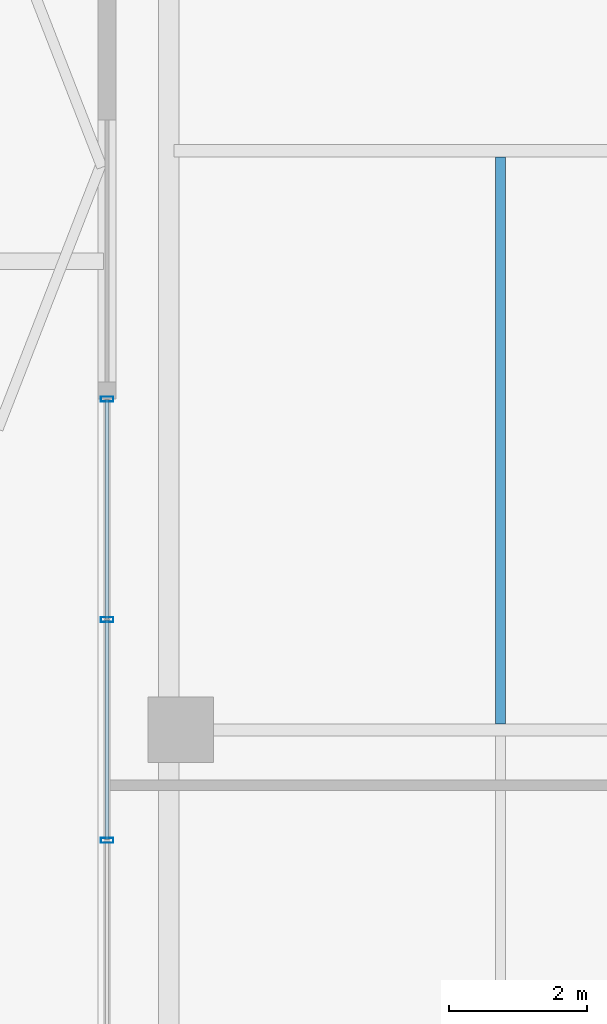
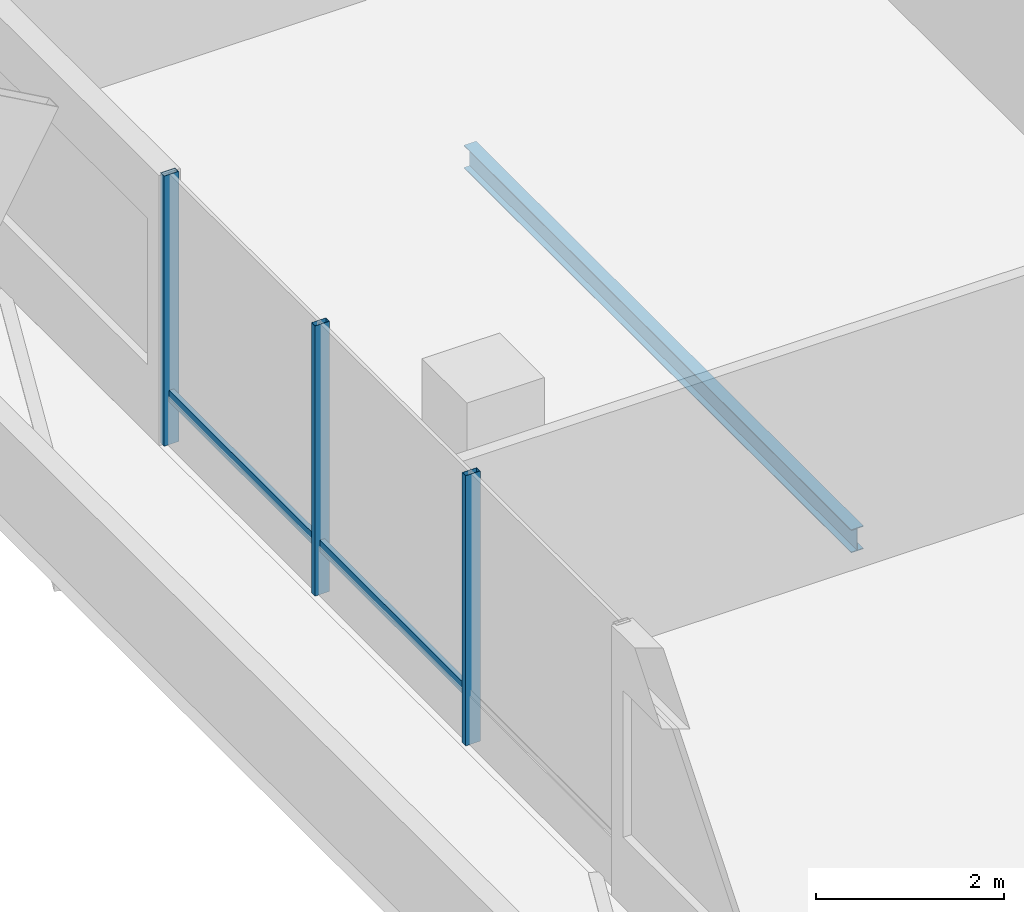
# One storey, part 6 of 17: 5 members, 1 beam, 1 element without a shape of its own.
"""IFC4 building model written with IfcOpenShell, lengths in metres."""

from ifc_helpers import new_model, si_unit, direction, frame, origin, origin_2d, place, context, subcontext, project, spatial, hollow_rectangle, i_section, extrude, material, layer, layer_set, material_profile, profile_set, type_object, element, aggregate, save


model = new_model("IFC4")

# Units and contexts
model_context = context("Model", 3, precision=1e-05, world=origin(), true_north=direction((0.0, 1.0)))
body_context = subcontext(model_context, "Body", "Model", "MODEL_VIEW")
ifc_project = project(units=[si_unit("LENGTHUNIT", "METRE"), si_unit("AREAUNIT", "SQUARE_METRE"), si_unit("VOLUMEUNIT", "CUBIC_METRE"), si_unit("PLANEANGLEUNIT", "RADIAN"), si_unit("MASSUNIT", "GRAM", prefix="KILO")], contexts=[model_context])

# Site, building, storey
site_placement = place(None, origin())
site = spatial("IfcSite", under=ifc_project, at=site_placement, CompositionType="ELEMENT")
building_placement = place(site_placement, origin())
building = spatial("IfcBuilding", under=site, at=building_placement, Name="Belovzor Exchange Tower", CompositionType="ELEMENT")
storey_placement = place(building_placement, frame((0.0, 0.0, 246.60009765625)))
storey = spatial("IfcBuildingStorey", under=building, at=storey_placement, Name="L61", CompositionType="ELEMENT", Elevation=246.60009765625)

# Beam
ifc_material_1 = material(Name="Steel S355", Category="steel")
ifc_material_profile_1 = material_profile(ifc_material_1, i_section(OverallWidth=0.14990234375, OverallDepth=0.300048828125, WebThickness=0.007080078125, FlangeThickness=0.0107421875, at=origin_2d()))
ifc_profile_set_1 = profile_set([ifc_material_profile_1], Name="Steel S355")
beam_type = type_object("IfcBeamType", Name="Secondary Trim Floor Joist IPE 300", PredefinedType="BEAM", material=ifc_profile_set_1)
beam_placement = place(storey_placement, frame((9.736083984375, 28.889892578125, -0.400146484375), z_axis=(0.0, 1.0, 0.0), x_axis=(-1.0, 0.0, 0.0)))
element("IfcBeam", 1, at=beam_placement, inside=storey, type_object=beam_type, Name="FJ-300 Secondary Trim Floor Joist IPE 300", PredefinedType="BEAM", context=body_context, shape_type="SweptSolid", body=[
    extrude(i_section(OverallWidth=0.14990234375, OverallDepth=0.300048828125, WebThickness=0.007080078125, FlangeThickness=0.0107421875, at=origin_2d()), origin(), (0.0, 0.0, 1.0), 8.22021484375),
])

# Curtain wall, members
ifc_material_2 = material(Name="Anodised Aluminium Framing", Category="aluminium")
ifc_layer = layer(ifc_material_2, 0.179931640625)
ifc_layer_set = layer_set([ifc_layer], Name="Anodised Aluminium Framing")
curtain_wall_type = type_object("IfcCurtainWallType", Name="Recessed Loggia Low-Iron Triple-Glazed Curtain Wall", PredefinedType="NOTDEFINED", material=ifc_layer_set)
curtain_wall_placement = place(storey_placement, origin())
curtain_wall = element("IfcCurtainWall", 2, at=curtain_wall_placement, inside=storey, type_object=curtain_wall_type, Name="CW3 Recessed Loggia Low-Iron Triple-Glazed Curtain Wall L61", PredefinedType="NOTDEFINED")
ifc_material_3 = material(Name="Steel S355", Category="steel")
ifc_material_profile_2 = material_profile(ifc_material_3, hollow_rectangle(XDim=0.074951171875, YDim=0.179931640625, WallThickness=0.0048828125, at=origin_2d()))
ifc_profile_set_2 = profile_set([ifc_material_profile_2], Name="Steel S355")
member_type_1 = type_object("IfcMemberType", Name="Thermally Broken Curtain Wall Mullion 180x75", PredefinedType="MULLION", material=ifc_profile_set_2)
member_1_placement = place(storey_placement, frame((4.030029296875, 27.199951171875, 0.0), z_axis=(0.0, 0.0, 1.0), x_axis=(0.0, 1.0, 0.0)))
member_1 = element("IfcMember", 3, at=member_1_placement, type_object=member_type_1, Name="CW-M180 Curtain Wall Mullion 2", PredefinedType="MULLION", context=body_context, shape_type="SweptSolid", body=[
    extrude(hollow_rectangle(XDim=0.074951171875, YDim=0.179931640625, WallThickness=0.0048828125, at=origin_2d()), origin(), (0.0, 0.0, 1.0), 3.5),
])
member_2_placement = place(storey_placement, frame((4.030029296875, 30.39990234375, 0.0), z_axis=(0.0, 0.0, 1.0), x_axis=(0.0, 1.0, 0.0)))
member_2 = element("IfcMember", 4, at=member_2_placement, type_object=member_type_1, Name="CW-M180 Curtain Wall Mullion 3", PredefinedType="MULLION", context=body_context, shape_type="SweptSolid", body=[
    extrude(hollow_rectangle(XDim=0.074951171875, YDim=0.179931640625, WallThickness=0.0048828125, at=origin_2d()), origin(), (0.0, 0.0, 1.0), 3.5),
])
member_3_placement = place(storey_placement, frame((4.030029296875, 33.60009765625, 0.0), z_axis=(0.0, 0.0, 1.0), x_axis=(0.0, 1.0, 0.0)))
member_3 = element("IfcMember", 5, at=member_3_placement, type_object=member_type_1, Name="CW-M180 Curtain Wall Mullion 4", PredefinedType="MULLION", context=body_context, shape_type="SweptSolid", body=[
    extrude(hollow_rectangle(XDim=0.074951171875, YDim=0.179931640625, WallThickness=0.0048828125, at=origin_2d()), origin(), (0.0, 0.0, 1.0), 3.5),
])
ifc_material_4 = material(Name="Steel S355", Category="steel")
ifc_material_profile_3 = material_profile(ifc_material_4, hollow_rectangle(XDim=0.06005859375, YDim=0.14990234375, WallThickness=0.00390625, at=origin_2d()))
ifc_profile_set_3 = profile_set([ifc_material_profile_3], Name="Steel S355")
member_type_2 = type_object("IfcMemberType", Name="Thermally Broken Curtain Wall Transom 150x60", PredefinedType="USERDEFINED", material=ifc_profile_set_3)
member_4_placement = place(storey_placement, frame((4.030029296875, 27.2080078125, 0.6298828125), z_axis=(0.0, 1.0, 0.0), x_axis=(-1.0, 0.0, 0.0)))
member_4 = element("IfcMember", 6, at=member_4_placement, type_object=member_type_2, Name="CW-T150 Curtain Wall Transom 2", ObjectType="TRANSOM", PredefinedType="USERDEFINED", context=body_context, shape_type="SweptSolid", body=[
    extrude(hollow_rectangle(XDim=0.06005859375, YDim=0.14990234375, WallThickness=0.00390625, at=origin_2d()), origin(), (0.0, 0.0, 1.0), 3.18408203125),
])
member_5_placement = place(storey_placement, frame((4.030029296875, 30.407958984375, 0.6298828125), z_axis=(0.0, 1.0, 0.0), x_axis=(-1.0, 0.0, 0.0)))
member_5 = element("IfcMember", 7, at=member_5_placement, type_object=member_type_2, Name="CW-T150 Curtain Wall Transom 3", ObjectType="TRANSOM", PredefinedType="USERDEFINED", context=body_context, shape_type="SweptSolid", body=[
    extrude(hollow_rectangle(XDim=0.06005859375, YDim=0.14990234375, WallThickness=0.00390625, at=origin_2d()), origin(), (0.0, 0.0, 1.0), 3.18408203125),
])
aggregate(curtain_wall, [member_1, member_2, member_3, member_4, member_5])

save(model, "model.ifc")
